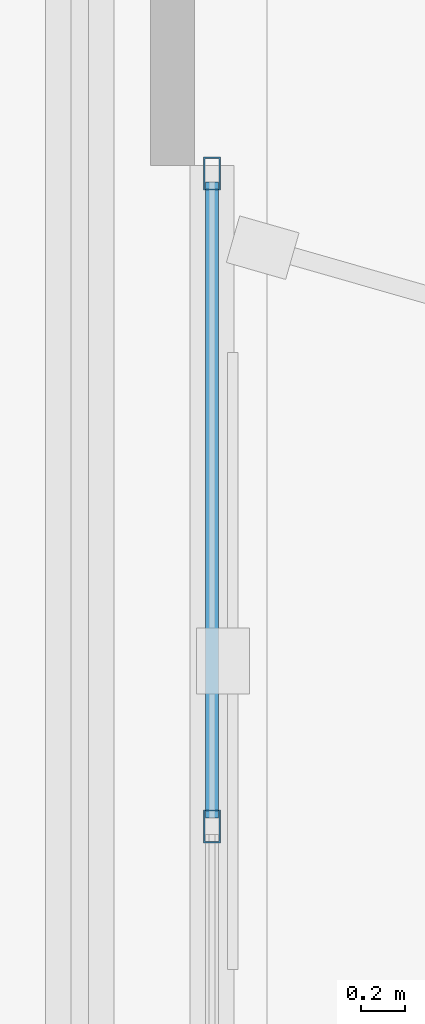
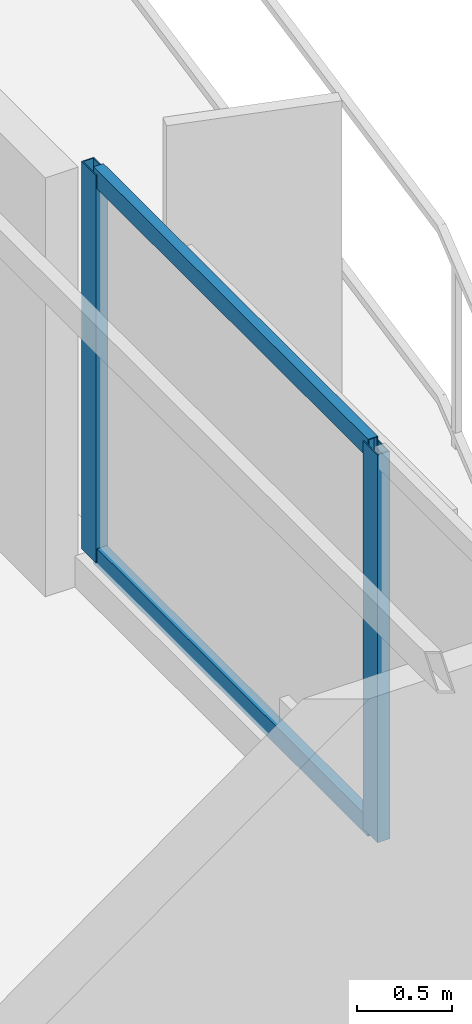
# One storey, part 13 of 22: 4 members, 1 element without a shape of its own.
"""IFC4 building model written with IfcOpenShell, lengths in metres."""

from ifc_helpers import new_model, si_unit, direction, frame, origin, origin_2d, place, context, subcontext, project, spatial, hollow_rectangle, extrude, material, layer, layer_set, material_profile, profile_set, type_object, element, aggregate, save


model = new_model("IFC4")

# Units and contexts
model_context = context("Model", 3, precision=1e-05, world=origin(), true_north=direction((0.0, 1.0)))
body_context = subcontext(model_context, "Body", "Model", "MODEL_VIEW")
ifc_project = project(units=[si_unit("LENGTHUNIT", "METRE"), si_unit("AREAUNIT", "SQUARE_METRE"), si_unit("VOLUMEUNIT", "CUBIC_METRE"), si_unit("PLANEANGLEUNIT", "RADIAN"), si_unit("MASSUNIT", "GRAM", prefix="KILO")], contexts=[model_context])

# Site, building, storey
site_placement = place(None, origin())
site = spatial("IfcSite", under=ifc_project, at=site_placement, CompositionType="ELEMENT")
building_placement = place(site_placement, origin())
building = spatial("IfcBuilding", under=site, at=building_placement, Name="Mersakhor Tower and Convention Hall", CompositionType="ELEMENT")
storey_placement = place(building_placement, frame((0.0, 0.0, 188.699951171875)))
storey = spatial("IfcBuildingStorey", under=building, at=storey_placement, Name="L52", CompositionType="ELEMENT", Elevation=188.699951171875)

# Curtain wall, members
ifc_material_1 = material(Name="Dark solar low-E aluminium curtain wall", Category="aluminium")
ifc_layer = layer(ifc_material_1, 0.169921875)
ifc_layer_set = layer_set([ifc_layer], Name="Dark solar low-E aluminium curtain wall")
curtain_wall_type = type_object("IfcCurtainWallType", Name="CW-SYS-02", PredefinedType="USERDEFINED", material=ifc_layer_set)
curtain_wall_placement = place(storey_placement, origin())
curtain_wall = element("IfcCurtainWall", 1, at=curtain_wall_placement, inside=storey, type_object=curtain_wall_type, Name="L52 Dark-Glass Curtain Wall F2-B2", ObjectType="CURTAIN WALL", PredefinedType="USERDEFINED")
ifc_material_2 = material(Name="Anodised aluminium EN AW-6063 T6", Category="aluminium")
ifc_material_profile_1 = material_profile(ifc_material_2, hollow_rectangle(XDim=0.074951171875, YDim=0.14990234375, WallThickness=0.00634765625, at=origin_2d()), Name="RHS 150x75x6.3")
ifc_profile_set_1 = profile_set([ifc_material_profile_1], Name="Anodised aluminium EN AW-6063 T6")
member_type_1 = type_object("IfcMemberType", Name="CWM-150x75", PredefinedType="MULLION", material=ifc_profile_set_1)
member_1_placement = place(storey_placement, frame((40.58837890625, 31.2119140625, 0.199951171875), z_axis=(0.0, 0.0, 1.0), x_axis=(1.0, 0.0, 0.0)))
member_1 = element("IfcMember", 2, at=member_1_placement, type_object=member_type_1, Name="CW-02 mullion 1", PredefinedType="MULLION", context=body_context, shape_type="SweptSolid", body=[
    extrude(hollow_rectangle(XDim=0.074951171875, YDim=0.14990234375, WallThickness=0.00634765625, at=origin_2d()), origin(), (0.0, 0.0, 1.0), 2.489990234375),
])
member_2_placement = place(storey_placement, frame((40.58837890625, 28.249755859375, 0.199951171875), z_axis=(0.0, 0.0, 1.0), x_axis=(1.0, 0.0, 0.0)))
member_2 = element("IfcMember", 3, at=member_2_placement, type_object=member_type_1, Name="CW-02 mullion 2", PredefinedType="MULLION", context=body_context, shape_type="SweptSolid", body=[
    extrude(hollow_rectangle(XDim=0.074951171875, YDim=0.14990234375, WallThickness=0.00634765625, at=origin_2d()), origin(), (0.0, 0.0, 1.0), 2.489990234375),
])
ifc_material_3 = material(Name="Anodised aluminium EN AW-6063 T6", Category="aluminium")
ifc_material_profile_2 = material_profile(ifc_material_3, hollow_rectangle(XDim=0.06005859375, YDim=0.1201171875, WallThickness=0.0048828125, at=origin_2d()), Name="RHS 120x60x5")
ifc_profile_set_2 = profile_set([ifc_material_profile_2], Name="Anodised aluminium EN AW-6063 T6")
member_type_2 = type_object("IfcMemberType", Name="CWT-120x60", PredefinedType="USERDEFINED", material=ifc_profile_set_2)
member_3_placement = place(storey_placement, frame((40.58837890625, 31.174560546875, 0.22998046875), z_axis=(0.0, -1.0, 0.0), x_axis=(1.0, 0.0, 0.0)))
member_3 = element("IfcMember", 4, at=member_3_placement, type_object=member_type_2, Name="CW-02 transom 1.1", ObjectType="TRANSOM", PredefinedType="USERDEFINED", context=body_context, shape_type="SweptSolid", body=[
    extrude(hollow_rectangle(XDim=0.06005859375, YDim=0.1201171875, WallThickness=0.0048828125, at=origin_2d()), origin(), (0.0, 0.0, 1.0), 2.88720703125),
])
member_4_placement = place(storey_placement, frame((40.58837890625, 31.174560546875, 2.66015625), z_axis=(0.0, -1.0, 0.0), x_axis=(1.0, 0.0, 0.0)))
member_4 = element("IfcMember", 5, at=member_4_placement, type_object=member_type_2, Name="CW-02 transom 1.2", ObjectType="TRANSOM", PredefinedType="USERDEFINED", context=body_context, shape_type="SweptSolid", body=[
    extrude(hollow_rectangle(XDim=0.06005859375, YDim=0.1201171875, WallThickness=0.0048828125, at=origin_2d()), origin(), (0.0, 0.0, 1.0), 2.88720703125),
])
aggregate(curtain_wall, [member_1, member_2, member_3, member_4])

save(model, "model.ifc")
